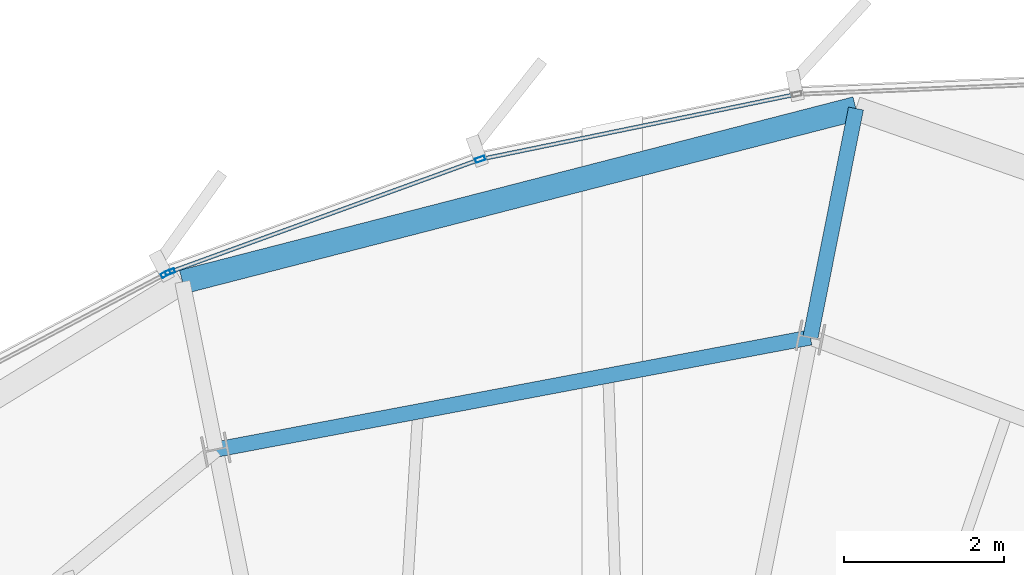
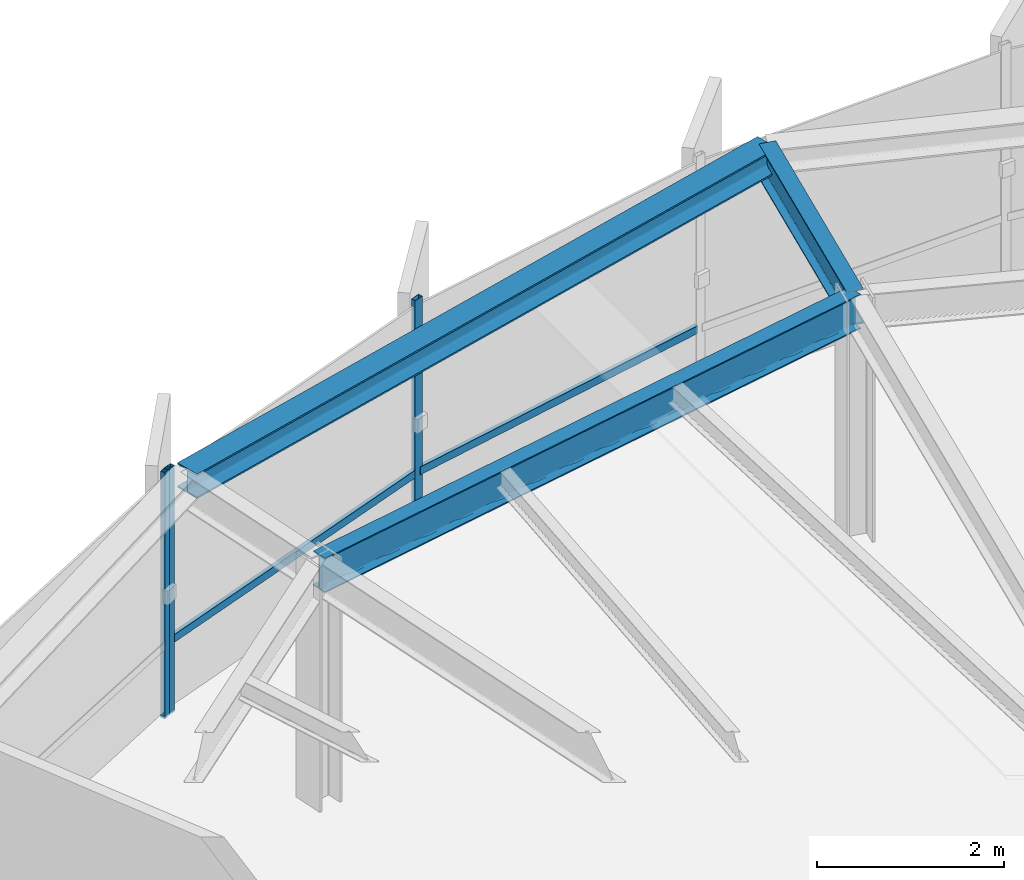
# One storey, part 23 of 36: 5 members, 3 beams, 2 elements without a shape of their own.
"""IFC4 building model written with IfcOpenShell, lengths in metres."""

from ifc_helpers import new_model, si_unit, direction, frame, origin, origin_2d, place, context, subcontext, project, spatial, hollow_rectangle, i_section, extrude, source, transform, mapped, material, layer, layer_set, material_profile, profile_set, type_object, element, aggregate, save


model = new_model("IFC4")

# Units and contexts
model_context = context("Model", 3, precision=1e-05, world=origin(), true_north=direction((0.0, 1.0)))
body_context = subcontext(model_context, "Body", "Model", "MODEL_VIEW")
ifc_project = project(units=[si_unit("LENGTHUNIT", "METRE"), si_unit("AREAUNIT", "SQUARE_METRE"), si_unit("VOLUMEUNIT", "CUBIC_METRE"), si_unit("PLANEANGLEUNIT", "RADIAN"), si_unit("MASSUNIT", "GRAM", prefix="KILO"), si_unit("THERMODYNAMICTEMPERATUREUNIT", "KELVIN")], contexts=[model_context])

# Site, building, storey
site_placement = place(None, origin())
site = spatial("IfcSite", under=ifc_project, at=site_placement, CompositionType="ELEMENT")
building_placement = place(site_placement, origin())
building = spatial("IfcBuilding", under=site, at=building_placement, Name="Kethvar Cultural Tower", CompositionType="ELEMENT")
storey_placement = place(building_placement, frame((0.0, 0.0, 228.39990234375)))
storey = spatial("IfcBuildingStorey", under=building, at=storey_placement, Name="L59", CompositionType="ELEMENT", Elevation=228.39990234375)

# Beams
ifc_material_1 = material(Name="Steel S355J2", Category="steel")
ifc_material_profile_1 = material_profile(ifc_material_1, i_section(OverallWidth=0.18994140625, OverallDepth=0.449951171875, WebThickness=0.009521484375, FlangeThickness=0.0146484375, FilletRadius=0.02099609375, at=origin_2d()), Name="Steel S355J2 — IPE450")
ifc_profile_set_1 = profile_set([ifc_material_profile_1], Name="Steel S355J2 — IPE450")
beam_type_1 = type_object("IfcBeamType", Name="BM-IPE450", PredefinedType="BEAM", material=ifc_profile_set_1)
shared_shape_1 = source(origin(), body_context, "Body", "SweptSolid", [
    extrude(i_section(OverallWidth=0.18994140625, OverallDepth=0.449951171875, WebThickness=0.009521484375, FlangeThickness=0.0146484375, FilletRadius=0.02099609375, at=origin_2d()), origin(), (0.0, 0.0, 1.0), 2.9091796875),
])
beam_1_placement = place(storey_placement, frame((50.645263671875, 47.131591796875, 2.983154296875), z_axis=(0.195115441032, 0.980780283586, 0.0), x_axis=(-0.980780283586, 0.195115441032, 0.0)))
element("IfcBeam", 1, at=beam_1_placement, inside=storey, type_object=beam_type_1, Name="L59 Perimeter Cantilever Beam RC-04", PredefinedType="BEAM", context=body_context, shape_type="MappedRepresentation", body=[
    mapped(shared_shape_1, transform((0.0, 0.0, 0.0), scale=1.0)),
])
shared_shape_2 = source(origin(), body_context, "Body", "SweptSolid", [
    extrude(i_section(OverallWidth=0.18994140625, OverallDepth=0.449951171875, WebThickness=0.009521484375, FlangeThickness=0.0146484375, FilletRadius=0.02099609375, at=origin_2d()), origin(), (0.0, 0.0, 1.0), 7.543212890625),
])
beam_2_placement = place(storey_placement, frame((50.645263671875, 47.131591796875, 2.983154296875), z_axis=(-0.982646853086, -0.185486285532, 0.0), x_axis=(0.185486285532, -0.982646853086, 0.0)))
element("IfcBeam", 2, at=beam_2_placement, inside=storey, type_object=beam_type_1, Name="L59 Column Ring Tie Beam CR-04", PredefinedType="BEAM", context=body_context, shape_type="MappedRepresentation", body=[
    mapped(shared_shape_2, transform((0.0, 0.0, 0.0), scale=1.0)),
])
ifc_material_profile_2 = material_profile(ifc_material_1, i_section(OverallWidth=0.300048828125, OverallDepth=0.320068359375, WebThickness=0.011474609375, FlangeThickness=0.0205078125, FilletRadius=0.027099609375, at=origin_2d()), Name="Steel S355J2 — HEB320")
ifc_profile_set_2 = profile_set([ifc_material_profile_2], Name="Steel S355J2 — HEB320")
beam_type_2 = type_object("IfcBeamType", Name="BM-SP320", PredefinedType="SPANDREL", material=ifc_profile_set_2)
shared_shape_3 = source(origin(), body_context, "Body", "SweptSolid", [
    extrude(i_section(OverallWidth=0.300048828125, OverallDepth=0.320068359375, WebThickness=0.011474609375, FlangeThickness=0.0205078125, FilletRadius=0.027099609375, at=origin_2d()), origin(), (0.0, 0.0, 1.0), 8.66943359375),
])
beam_3_placement = place(storey_placement, frame((51.212890625, 49.98486328125, 3.048095703125), z_axis=(-0.968446340542, -0.249222160913, 0.0), x_axis=(0.249222160913, -0.968446340542, 0.0)))
element("IfcBeam", 3, at=beam_3_placement, inside=storey, type_object=beam_type_2, Name="L59 Perimeter Spandrel Beam SP-04", PredefinedType="SPANDREL", context=body_context, shape_type="MappedRepresentation", body=[
    mapped(shared_shape_3, transform((0.0, 0.0, 0.0), scale=1.0)),
])

# Curtain wall, members
ifc_material_2 = material(Name="Aluminium 6063-T6", Category="aluminium")
ifc_layer = layer(ifc_material_2, 0.179931640625, Name="Aluminium 6063-T6", Category="aluminium")
ifc_layer_set = layer_set([ifc_layer], Name="Aluminium 6063-T6 (180 mm)")
curtain_wall_type = type_object("IfcCurtainWallType", Name="CW-SYS-05-Z56", PredefinedType="NOTDEFINED", material=ifc_layer_set)
curtain_wall_1_placement = place(storey_placement, origin())
curtain_wall_1 = element("IfcCurtainWall", 4, at=curtain_wall_1_placement, inside=storey, type_object=curtain_wall_type, Name="L59 Curtain Wall Run 01", PredefinedType="NOTDEFINED")
ifc_material_profile_3 = material_profile(ifc_material_2, hollow_rectangle(XDim=0.054931640625, YDim=0.1201171875, WallThickness=0.00390625, at=origin_2d()), Name="Aluminium 6063-T6 — RHS120x55x4")
ifc_profile_set_3 = profile_set([ifc_material_profile_3], Name="Aluminium 6063-T6 — RHS120x55x4")
member_type_1 = type_object("IfcMemberType", Name="CW-SYS-05-Z56-MUL", PredefinedType="MULLION", material=ifc_profile_set_3)
shared_shape_4 = source(origin(), body_context, "Body", "SweptSolid", [
    extrude(hollow_rectangle(XDim=0.054931640625, YDim=0.1201171875, WallThickness=0.00390625, at=origin_2d()), origin(), (0.0, 0.0, 1.0), 3.210205078125),
])
member_1_placement = place(storey_placement, frame((46.529052734375, 49.352783203125, 0.0), z_axis=(0.0, 0.0, 1.0), x_axis=(0.341495266644, -0.939883494301, 0.0)))
member_1 = element("IfcMember", 5, at=member_1_placement, type_object=member_type_1, Name="CW-L59-R01 Mullion 6", PredefinedType="MULLION", context=body_context, shape_type="MappedRepresentation", body=[
    mapped(shared_shape_4, transform((0.0, 0.0, 0.0), scale=1.0)),
])
member_2_placement = place(storey_placement, frame((42.662841796875, 47.947998046875, 0.0), z_axis=(0.0, 0.0, 1.0), x_axis=(0.341495266644, -0.939883494301, 0.0)))
member_2 = element("IfcMember", 6, at=member_2_placement, type_object=member_type_1, Name="CW-L59-R01 Mullion 7", PredefinedType="MULLION", context=body_context, shape_type="MappedRepresentation", body=[
    mapped(shared_shape_4, transform((0.0, 0.0, 0.0), scale=1.0)),
])

# Curtain wall, member
curtain_wall_2_placement = place(storey_placement, origin())
curtain_wall_2 = element("IfcCurtainWall", 7, at=curtain_wall_2_placement, inside=storey, type_object=curtain_wall_type, Name="L59 Curtain Wall Run 02", PredefinedType="NOTDEFINED")
member_3_placement = place(storey_placement, frame((42.610107421875, 47.924560546875, 0.0), z_axis=(0.0, 0.0, 1.0), x_axis=(0.46698864742, -0.884263311, 0.0)))
member_3 = element("IfcMember", 8, at=member_3_placement, type_object=member_type_1, Name="CW-L59-R02 Mullion 1", PredefinedType="MULLION", context=body_context, shape_type="MappedRepresentation", body=[
    mapped(shared_shape_4, transform((0.0, 0.0, 0.0), scale=1.0)),
])
aggregate(curtain_wall_2, [member_3])

# Member
ifc_material_profile_4 = material_profile(ifc_material_2, hollow_rectangle(XDim=0.050048828125, YDim=0.10009765625, WallThickness=0.00390625, at=origin_2d()), Name="Aluminium 6063-T6 — RHS100x50x4")
ifc_profile_set_4 = profile_set([ifc_material_profile_4], Name="Aluminium 6063-T6 — RHS100x50x4")
member_type_2 = type_object("IfcMemberType", Name="CW-SYS-05-Z56-TRN", PredefinedType="USERDEFINED", material=ifc_profile_set_4)
shared_shape_5 = source(origin(), body_context, "Body", "SweptSolid", [
    extrude(hollow_rectangle(XDim=0.050048828125, YDim=0.10009765625, WallThickness=0.00390625, at=origin_2d()), origin(), (0.0, 0.0, 1.0), 3.964111328125),
])
member_4_placement = place(storey_placement, frame((50.436767578125, 50.156005859375, 0.9501953125), z_axis=(-0.979461336156, -0.201632068321, 0.0), x_axis=(0.201632068321, -0.979461336156, 0.0)))
member_4 = element("IfcMember", 9, at=member_4_placement, type_object=member_type_2, Name="CW-L59-R01 Transom 5", ObjectType="TRANSOM", PredefinedType="USERDEFINED", context=body_context, shape_type="MappedRepresentation", body=[
    mapped(shared_shape_5, transform((0.0, 0.0, 0.0), scale=1.0)),
])

shared_shape_6 = source(origin(), body_context, "Body", "SweptSolid", [
    extrude(hollow_rectangle(XDim=0.050048828125, YDim=0.10009765625, WallThickness=0.00390625, at=origin_2d()), origin(), (0.0, 0.0, 1.0), 4.070068359375),
])
member_5_placement = place(storey_placement, frame((46.491943359375, 49.339111328125, 0.9501953125), z_axis=(-0.939886210474, -0.341487790939, 0.0), x_axis=(0.341487790939, -0.939886210474, 0.0)))
member_5 = element("IfcMember", 10, at=member_5_placement, type_object=member_type_2, Name="CW-L59-R01 Transom 6", ObjectType="TRANSOM", PredefinedType="USERDEFINED", context=body_context, shape_type="MappedRepresentation", body=[
    mapped(shared_shape_6, transform((0.0, 0.0, 0.0), scale=1.0)),
])

aggregate(curtain_wall_1, [member_1, member_2, member_4, member_5])

save(model, "model.ifc")
